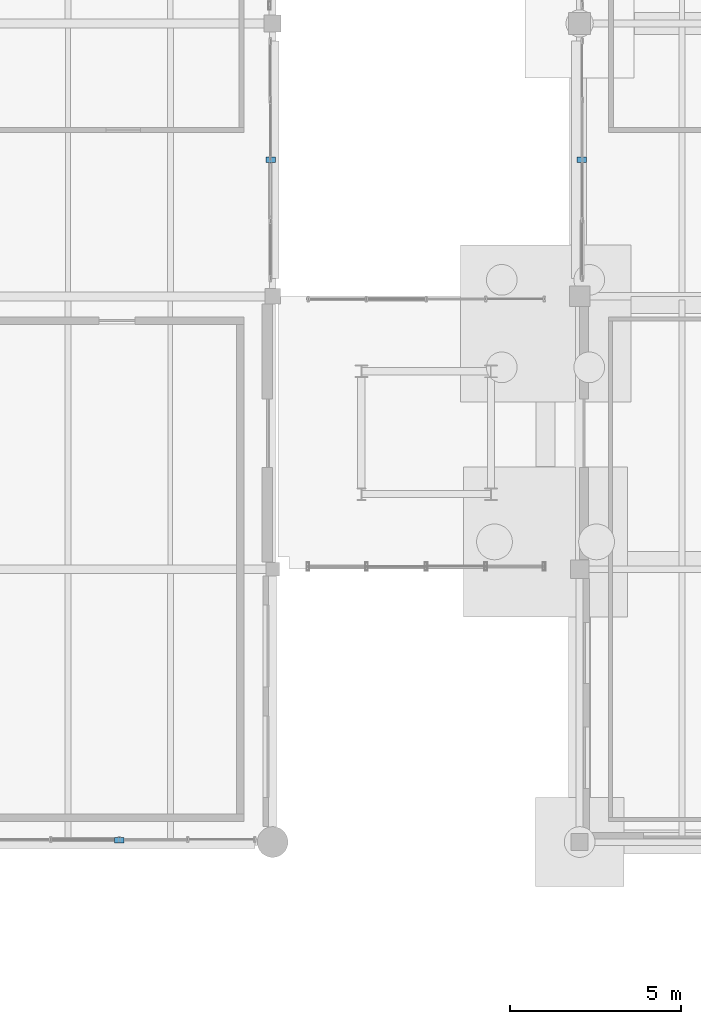
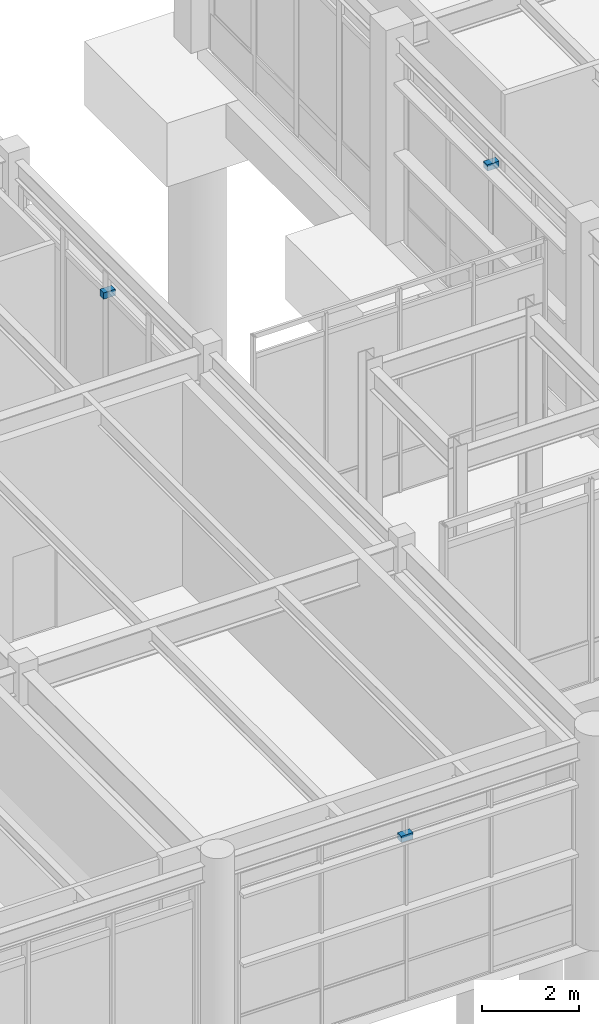
# One storey, part 191 of 203: 3 discrete accessories.
"""IFC4 building model written with IfcOpenShell, lengths in metres."""

from ifc_helpers import new_model, si_unit, direction, frame, origin, origin_2d, place, context, subcontext, project, spatial, rectangle, extrude, material, type_object, element, save


model = new_model("IFC4")

# Units and contexts
model_context = context("Model", 3, precision=1e-05, world=origin(), true_north=direction((0.0, 1.0)))
body_context = subcontext(model_context, "Body", "Model", "MODEL_VIEW")
ifc_project = project(units=[si_unit("LENGTHUNIT", "METRE"), si_unit("AREAUNIT", "SQUARE_METRE"), si_unit("VOLUMEUNIT", "CUBIC_METRE"), si_unit("PLANEANGLEUNIT", "RADIAN"), si_unit("MASSUNIT", "GRAM", prefix="KILO"), si_unit("THERMODYNAMICTEMPERATUREUNIT", "KELVIN"), si_unit("POWERUNIT", "WATT")], contexts=[model_context])

# Site, building, storey
site_placement = place(None, origin())
site = spatial("IfcSite", under=ifc_project, at=site_placement, CompositionType="ELEMENT")
building_placement = place(site_placement, origin())
building = spatial("IfcBuilding", under=site, at=building_placement, Name="Tepalcoro Natatorium and Aquatics Centre", CompositionType="ELEMENT")
storey_placement = place(building_placement, origin())
storey = spatial("IfcBuildingStorey", under=building, at=storey_placement, Name="L00", CompositionType="ELEMENT", Elevation=0.0)

# Discrete accessories
ifc_material_1 = material(Name="Plate Steel ASTM A572 Grade 50 (Fy 345 MPa)", Category="steel")
discrete_accessory_type_1 = type_object("IfcDiscreteAccessoryType", Name="BRK_FACADE_GALV", PredefinedType="BRACKET", material=ifc_material_1)
discrete_accessory_placement = place(storey_placement, frame((98.05615234375, 106.0, 4.06689453125), z_axis=(0.0, 0.0, 1.0), x_axis=(1.0, 0.0, 0.0)))
element("IfcDiscreteAccessory", 1, at=discrete_accessory_placement, inside=storey, type_object=discrete_accessory_type_1, Name="Solar Shading Outrigger Bracket BRK_FACADE_GALV", PredefinedType="BRACKET", context=body_context, shape_type="SweptSolid", body=[
    extrude(rectangle(XDim=0.280029296875, YDim=0.159912109375, at=origin_2d()), origin(), (0.0, 0.0, 1.0), 0.159912109375),
])
ifc_material_2 = material(Name="Marine-Grade Brushed Stainless Steel AISI 316L", Category="steel")
discrete_accessory_type_2 = type_object("IfcDiscreteAccessoryType", Name="BRK_SEISMIC_SS", PredefinedType="BRACKET", material=ifc_material_2)
for number, where, z_axis, x_axis, name in (
    (2, (84.5, 86.05615234375, 4.0400390625), (0.0, 0.0, 1.0), (1.0, 0.0, 0.0), "Solar Shading Outrigger Bracket BRK_SEISMIC_SS"),
    (3, (88.94384765625, 106.0, 4.0400390625), (0.0, 0.0, 1.0), (1.0, 0.0, 0.0), "Solar Shading Outrigger Bracket BRK_SEISMIC_SS"),
):
    element("IfcDiscreteAccessory", number, at=place(storey_placement, frame(where, z_axis=z_axis, x_axis=x_axis)), inside=storey, type_object=discrete_accessory_type_2, Name=name, PredefinedType="BRACKET", context=body_context, shape_type="SweptSolid", body=[
        extrude(rectangle(XDim=0.280029296875, YDim=0.159912109375, at=origin_2d()), origin(), (0.0, 0.0, 1.0), 0.159912109375),
    ])

save(model, "model.ifc")
